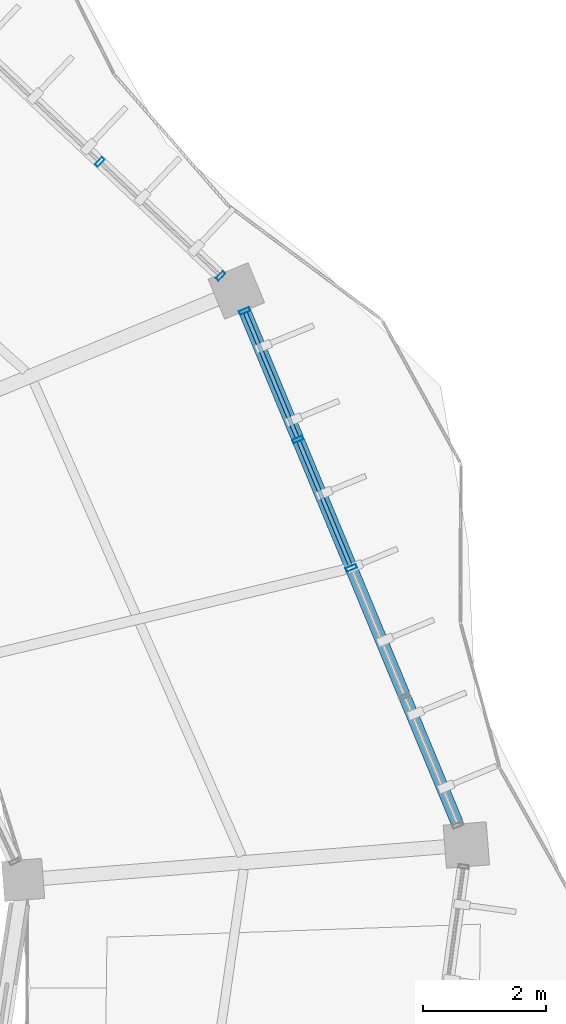
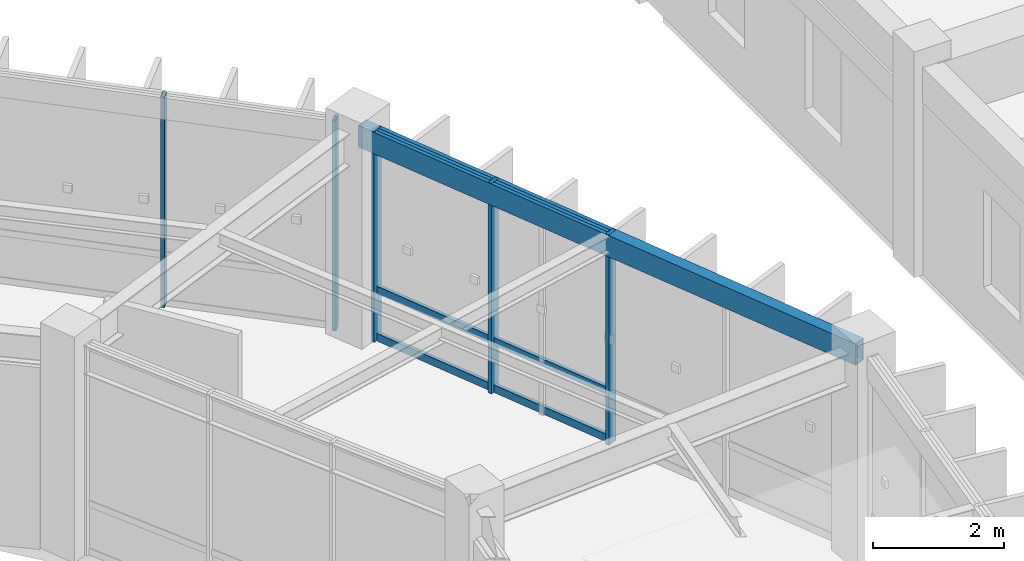
# One storey, part 99 of 138: 11 members, 1 beam, 2 elements without a shape of their own.
"""IFC4 building model written with IfcOpenShell, lengths in metres."""

from ifc_helpers import new_model, si_unit, direction, frame, origin, origin_2d, place, context, subcontext, project, spatial, hollow_rectangle, extrude, material, material_profile, profile_set, type_object, element, aggregate, save


model = new_model("IFC4")

# Units and contexts
model_context = context("Model", 3, precision=1e-05, world=origin(), true_north=direction((0.0, 1.0)))
body_context = subcontext(model_context, "Body", "Model", "MODEL_VIEW")
ifc_project = project(units=[si_unit("LENGTHUNIT", "METRE"), si_unit("AREAUNIT", "SQUARE_METRE"), si_unit("VOLUMEUNIT", "CUBIC_METRE"), si_unit("PLANEANGLEUNIT", "RADIAN"), si_unit("MASSUNIT", "GRAM", prefix="KILO"), si_unit("THERMODYNAMICTEMPERATUREUNIT", "KELVIN"), si_unit("POWERUNIT", "WATT")], contexts=[model_context])

# Site, building, storey
site_placement = place(None, origin())
site = spatial("IfcSite", under=ifc_project, at=site_placement, CompositionType="ELEMENT")
building_placement = place(site_placement, origin())
building = spatial("IfcBuilding", under=site, at=building_placement, Name="Darbajah Civic Hall", CompositionType="ELEMENT")
storey_placement = place(building_placement, frame((0.0, 0.0, 9.60009765625)))
storey = spatial("IfcBuildingStorey", under=building, at=storey_placement, Name="L02", CompositionType="ELEMENT", Elevation=9.60009765625)

# Curtain wall, members
ifc_material_1 = material(Name="Anodised Bronze Aluminium and Low-E Glazing", Category="aluminium")
curtain_wall_type_1 = type_object("IfcCurtainWallType", Name="Unitised Curtain Wall CW-39 10800x3900", PredefinedType="USERDEFINED", material=ifc_material_1)
curtain_wall_1_placement = place(storey_placement, origin())
curtain_wall_1 = element("IfcCurtainWall", 1, at=curtain_wall_1_placement, inside=storey, type_object=curtain_wall_type_1, Name="L02 unitised curtain wall CW-V1O-L02-01", ObjectType="UNITISED CURTAIN WALL", PredefinedType="USERDEFINED")
ifc_material_2 = material(Name="Anodised Bronze Aluminium", Category="aluminium")
ifc_material_profile_1 = material_profile(ifc_material_2, hollow_rectangle(XDim=0.06005859375, YDim=0.159912109375, WallThickness=0.00341796875, at=origin_2d()), Name="ALU MULLION 60x160")
ifc_profile_set_1 = profile_set([ifc_material_profile_1], Name="Anodised Bronze Aluminium")
member_type_1 = type_object("IfcMemberType", Name="ALU MULLION 60x160", PredefinedType="MULLION", material=ifc_profile_set_1)
member_1_placement = place(storey_placement, frame((135.9619140625, 101.330810546875, 0.0), z_axis=(0.0, 0.0, 1.0), x_axis=(-0.727173991201, 0.686453193248, 0.0)))
member_1 = element("IfcMember", 2, at=member_1_placement, type_object=member_type_1, Name="CW-V1O-L02-01 mullion 1", PredefinedType="MULLION", context=body_context, shape_type="SweptSolid", body=[
    extrude(hollow_rectangle(XDim=0.06005859375, YDim=0.159912109375, WallThickness=0.00341796875, at=origin_2d()), origin(), (0.0, 0.0, 1.0), 3.919921875),
])
member_2_placement = place(storey_placement, frame((134.005615234375, 103.177490234375, 0.0), z_axis=(0.0, 0.0, 1.0), x_axis=(-0.727173991201, 0.686453193248, 0.0)))
member_2 = element("IfcMember", 3, at=member_2_placement, type_object=member_type_1, Name="CW-V1O-L02-01 mullion 2", PredefinedType="MULLION", context=body_context, shape_type="SweptSolid", body=[
    extrude(hollow_rectangle(XDim=0.06005859375, YDim=0.159912109375, WallThickness=0.00341796875, at=origin_2d()), origin(), (0.0, 0.0, 1.0), 3.919921875),
])
aggregate(curtain_wall_1, [member_1, member_2])

curtain_wall_type_2 = type_object("IfcCurtainWallType", Name="Unitised Curtain Wall CW-37 9000x3900", PredefinedType="USERDEFINED", material=ifc_material_1)
curtain_wall_2_placement = place(storey_placement, origin())
curtain_wall_2 = element("IfcCurtainWall", 4, at=curtain_wall_2_placement, inside=storey, type_object=curtain_wall_type_2, Name="L02 unitised curtain wall CW-V1O-L02-00", ObjectType="UNITISED CURTAIN WALL", PredefinedType="USERDEFINED")
ifc_material_profile_2 = material_profile(ifc_material_2, hollow_rectangle(XDim=0.06494140625, YDim=0.179931640625, WallThickness=0.00390625, at=origin_2d()), Name="ALU MULLION 65x180")
ifc_profile_set_2 = profile_set([ifc_material_profile_2], Name="Anodised Bronze Aluminium")
member_type_2 = type_object("IfcMemberType", Name="ALU MULLION 65x180", PredefinedType="MULLION", material=ifc_profile_set_2)
member_3_placement = place(storey_placement, frame((138.080322265625, 96.601806640625, 0.0), z_axis=(0.0, 0.0, 1.0), x_axis=(-0.383328328644, 0.923612143954, 0.0)))
member_3 = element("IfcMember", 5, at=member_3_placement, type_object=member_type_2, Name="CW-V1O-L02-00 mullion 3", PredefinedType="MULLION", context=body_context, shape_type="SweptSolid", body=[
    extrude(hollow_rectangle(XDim=0.06494140625, YDim=0.179931640625, WallThickness=0.00390625, at=origin_2d()), origin(), (0.0, 0.0, 1.0), 3.919921875),
])
member_4_placement = place(storey_placement, frame((137.216552734375, 98.68310546875, 0.0), z_axis=(0.0, 0.0, 1.0), x_axis=(-0.383328328644, 0.923612143954, 0.0)))
member_4 = element("IfcMember", 6, at=member_4_placement, type_object=member_type_2, Name="CW-V1O-L02-00 mullion 4", PredefinedType="MULLION", context=body_context, shape_type="SweptSolid", body=[
    extrude(hollow_rectangle(XDim=0.06494140625, YDim=0.179931640625, WallThickness=0.00390625, at=origin_2d()), origin(), (0.0, 0.0, 1.0), 3.919921875),
])
member_5_placement = place(storey_placement, frame((136.352783203125, 100.76416015625, 0.0), z_axis=(0.0, 0.0, 1.0), x_axis=(-0.383328328644, 0.923612143954, 0.0)))
member_5 = element("IfcMember", 7, at=member_5_placement, type_object=member_type_2, Name="CW-V1O-L02-00 mullion 5", PredefinedType="MULLION", context=body_context, shape_type="SweptSolid", body=[
    extrude(hollow_rectangle(XDim=0.06494140625, YDim=0.179931640625, WallThickness=0.00390625, at=origin_2d()), origin(), (0.0, 0.0, 1.0), 3.919921875),
])
ifc_material_profile_3 = material_profile(ifc_material_2, hollow_rectangle(XDim=0.06494140625, YDim=0.139892578125, WallThickness=0.00341796875, at=origin_2d()), Name="ALU TRANSOM 65x140")
ifc_profile_set_3 = profile_set([ifc_material_profile_3], Name="Anodised Bronze Aluminium")
member_type_3 = type_object("IfcMemberType", Name="ALU TRANSOM 65x140", PredefinedType="USERDEFINED", material=ifc_profile_set_3)
member_6_placement = place(storey_placement, frame((138.06591796875, 96.636474609375, 0.06982421875), z_axis=(-0.383341590731, 0.923606639656, 0.0), x_axis=(-0.923606639656, -0.383341590731, 0.0)))
member_6 = element("IfcMember", 8, at=member_6_placement, type_object=member_type_3, Name="CW-V1O-L02-00 transom 3.1", ObjectType="TRANSOM", PredefinedType="USERDEFINED", context=body_context, shape_type="SweptSolid", body=[
    extrude(hollow_rectangle(XDim=0.06494140625, YDim=0.139892578125, WallThickness=0.00341796875, at=origin_2d()), origin(), (0.0, 0.0, 1.0), 2.17822265625),
])
member_7_placement = place(storey_placement, frame((138.06591796875, 96.636474609375, 0.949951171875), z_axis=(-0.383341590731, 0.923606639656, 0.0), x_axis=(-0.923606639656, -0.383341590731, 0.0)))
member_7 = element("IfcMember", 9, at=member_7_placement, type_object=member_type_3, Name="CW-V1O-L02-00 transom 3.2", ObjectType="TRANSOM", PredefinedType="USERDEFINED", context=body_context, shape_type="SweptSolid", body=[
    extrude(hollow_rectangle(XDim=0.06494140625, YDim=0.139892578125, WallThickness=0.00341796875, at=origin_2d()), origin(), (0.0, 0.0, 1.0), 2.17822265625),
])
member_8_placement = place(storey_placement, frame((138.06591796875, 96.636474609375, 3.849853515625), z_axis=(-0.383341590731, 0.923606639656, 0.0), x_axis=(-0.923606639656, -0.383341590731, 0.0)))
member_8 = element("IfcMember", 10, at=member_8_placement, type_object=member_type_3, Name="CW-V1O-L02-00 transom 3.3", ObjectType="TRANSOM", PredefinedType="USERDEFINED", context=body_context, shape_type="SweptSolid", body=[
    extrude(hollow_rectangle(XDim=0.06494140625, YDim=0.139892578125, WallThickness=0.00341796875, at=origin_2d()), origin(), (0.0, 0.0, 1.0), 2.17822265625),
])
member_9_placement = place(storey_placement, frame((137.2021484375, 98.717529296875, 0.06982421875), z_axis=(-0.383301908897, 0.923623108544, 0.0), x_axis=(-0.923623108544, -0.383301908897, 0.0)))
member_9 = element("IfcMember", 11, at=member_9_placement, type_object=member_type_3, Name="CW-V1O-L02-00 transom 4.1", ObjectType="TRANSOM", PredefinedType="USERDEFINED", context=body_context, shape_type="SweptSolid", body=[
    extrude(hollow_rectangle(XDim=0.06494140625, YDim=0.139892578125, WallThickness=0.00341796875, at=origin_2d()), origin(), (0.0, 0.0, 1.0), 2.17822265625),
])
member_10_placement = place(storey_placement, frame((137.2021484375, 98.717529296875, 0.949951171875), z_axis=(-0.383301908897, 0.923623108544, 0.0), x_axis=(-0.923623108544, -0.383301908897, 0.0)))
member_10 = element("IfcMember", 12, at=member_10_placement, type_object=member_type_3, Name="CW-V1O-L02-00 transom 4.2", ObjectType="TRANSOM", PredefinedType="USERDEFINED", context=body_context, shape_type="SweptSolid", body=[
    extrude(hollow_rectangle(XDim=0.06494140625, YDim=0.139892578125, WallThickness=0.00341796875, at=origin_2d()), origin(), (0.0, 0.0, 1.0), 2.17822265625),
])
member_11_placement = place(storey_placement, frame((137.2021484375, 98.717529296875, 3.849853515625), z_axis=(-0.383301908897, 0.923623108544, 0.0), x_axis=(-0.923623108544, -0.383301908897, 0.0)))
member_11 = element("IfcMember", 13, at=member_11_placement, type_object=member_type_3, Name="CW-V1O-L02-00 transom 4.3", ObjectType="TRANSOM", PredefinedType="USERDEFINED", context=body_context, shape_type="SweptSolid", body=[
    extrude(hollow_rectangle(XDim=0.06494140625, YDim=0.139892578125, WallThickness=0.00341796875, at=origin_2d()), origin(), (0.0, 0.0, 1.0), 2.17822265625),
])
aggregate(curtain_wall_2, [member_3, member_4, member_5, member_6, member_7, member_8, member_9, member_10, member_11])

# Beam
ifc_material_3 = material(Name="Steel S355JR", Category="steel")
ifc_material_profile_4 = material_profile(ifc_material_3, hollow_rectangle(XDim=0.199951171875, YDim=0.39990234375, WallThickness=0.013916015625, at=origin_2d()), Name="RHS 400x200x14")
ifc_profile_set_4 = profile_set([ifc_material_profile_4], Name="Steel S355JR")
beam_type = type_object("IfcBeamType", Name="RHS 400x200x14", PredefinedType="SPANDREL", material=ifc_profile_set_4)
beam_placement = place(storey_placement, frame((139.912109375, 92.1884765625, 3.719970703125), z_axis=(-0.38333984527, 0.923607364104, 0.0), x_axis=(-0.923607364104, -0.38333984527, 0.0)))
element("IfcBeam", 14, at=beam_placement, inside=storey, type_object=beam_type, Name="L02 beam SP-RHS400", PredefinedType="SPANDREL", context=body_context, shape_type="SweptSolid", body=[
    extrude(hollow_rectangle(XDim=0.199951171875, YDim=0.39990234375, WallThickness=0.013916015625, at=origin_2d()), origin(), (0.0, 0.0, 1.0), 9.556884765625),
])

save(model, "model.ifc")
